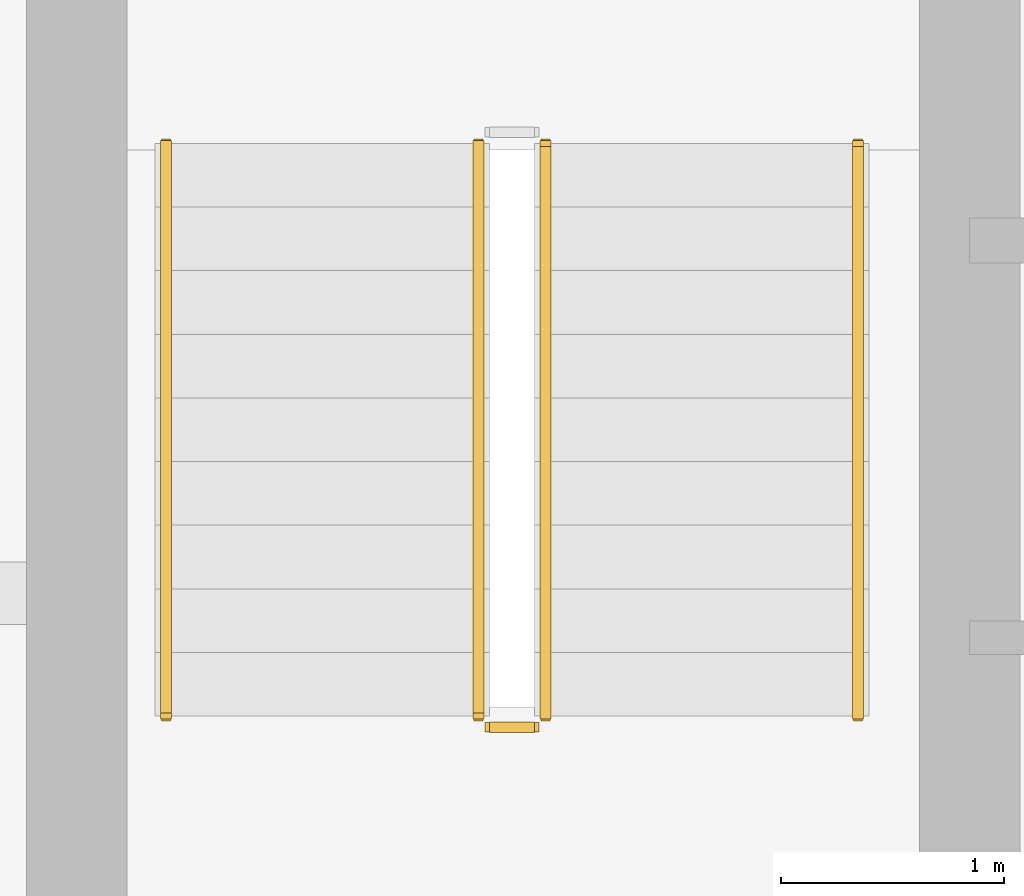
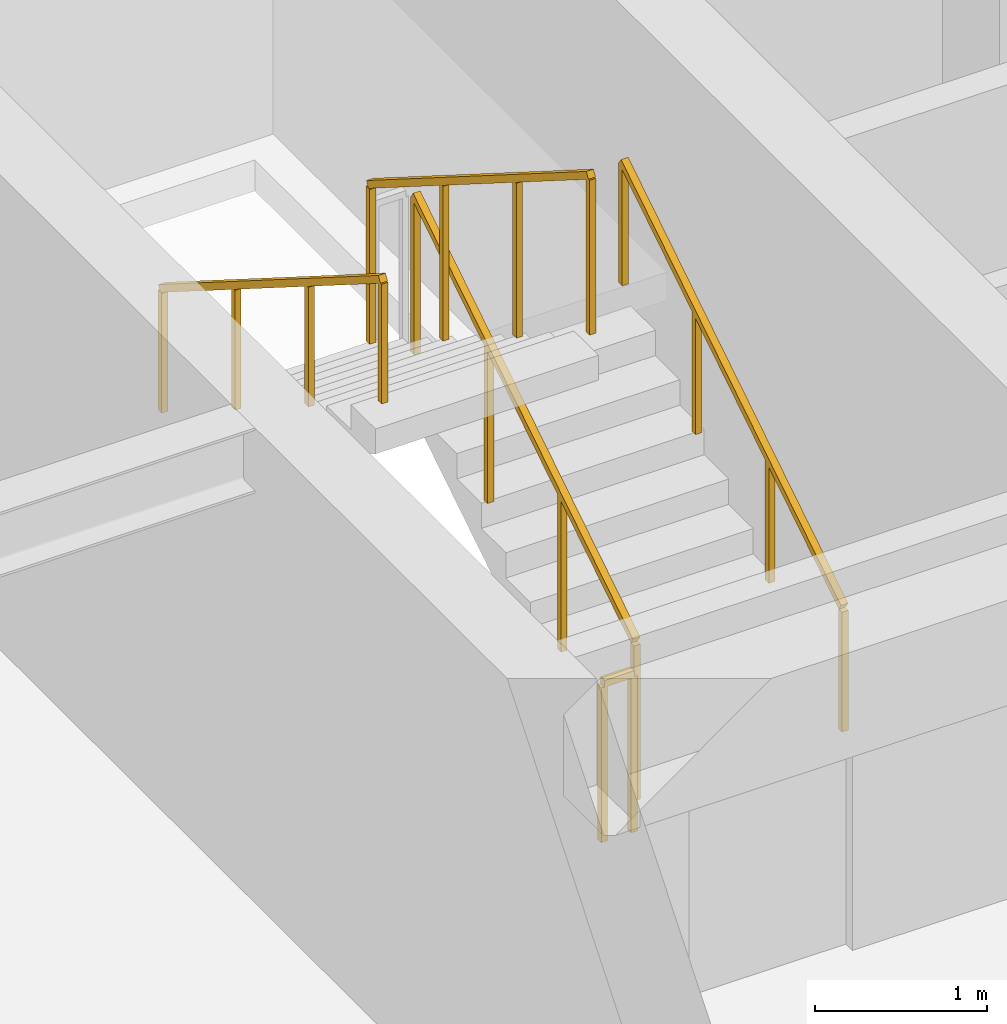
# One storey, part 26 of 28: 5 railings.
"""IFC4 building model written with IfcOpenShell, lengths in metres."""

from ifc_helpers import new_model, si_unit, direction, frame, origin, origin_2d, place, context, subcontext, project, spatial, rectangle, extrude, material, type_object, element, save


model = new_model("IFC4")

# Units and contexts
model_context = context("Model", 3, precision=1e-05, world=origin(), true_north=direction((0.0, 1.0)))
body_context = subcontext(model_context, "Body", "Model", "MODEL_VIEW")
ifc_project = project(units=[si_unit("LENGTHUNIT", "METRE"), si_unit("AREAUNIT", "SQUARE_METRE"), si_unit("VOLUMEUNIT", "CUBIC_METRE"), si_unit("PLANEANGLEUNIT", "RADIAN"), si_unit("MASSUNIT", "GRAM", prefix="KILO")], contexts=[model_context])

# Site, building, storey
site_placement = place(None, origin())
site = spatial("IfcSite", under=ifc_project, at=site_placement, CompositionType="ELEMENT")
building_placement = place(site_placement, origin())
building = spatial("IfcBuilding", under=site, at=building_placement, Name="Sarneth Arch Tower", CompositionType="ELEMENT")
storey_placement = place(building_placement, frame((0.0, 0.0, 179.39990234375)))
storey = spatial("IfcBuildingStorey", under=building, at=storey_placement, Name="L45", CompositionType="ELEMENT", Elevation=179.39990234375)

# Railings
ifc_material_1 = material(Name="Brushed Stainless Steel 304 tubular handrail", Category="steel")
railing_type_1 = type_object("IfcRailingType", Name="RAIL-HANDRAIL-900", PredefinedType="HANDRAIL", material=ifc_material_1)
railing_1_placement = place(storey_placement, frame((40.5, 41.449951171875, 0.18017578125)))
element("IfcRailing", 1, at=railing_1_placement, inside=storey, type_object=railing_type_1, Name="L45 ST-1 stair handrail 1", PredefinedType="HANDRAIL", context=body_context, shape_type="SweptSolid", body=[
    extrude(rectangle(XDim=0.048095703125, YDim=0.048095703125, at=origin_2d()), frame((0.0, 0.0, 0.8759765625), z_axis=(0.0, 0.845502289212, 0.533971796014), x_axis=(-1.0, 0.0, 0.0)), (0.0, 0.0, 1.0), 3.03369140625),
    extrude(rectangle(XDim=0.0419921875, YDim=0.0419921875, at=origin_2d()), origin(), (0.0, 0.0, 1.0), 0.851806640625),
    extrude(rectangle(XDim=0.0419921875, YDim=0.0419921875, at=origin_2d()), frame((0.0, 0.85498046875, 0.5400390625)), (0.0, 0.0, 1.0), 0.851806640625),
    extrude(rectangle(XDim=0.0419921875, YDim=0.0419921875, at=origin_2d()), frame((0.0, 1.7099609375, 1.079833984375)), (0.0, 0.0, 1.0), 0.851806640625),
    extrude(rectangle(XDim=0.0419921875, YDim=0.0419921875, at=origin_2d()), frame((0.0, 2.56494140625, 1.619873046875)), (0.0, 0.0, 1.0), 0.851806640625),
])
railing_2_placement = place(storey_placement, frame((37.39990234375, 44.014892578125, 1.97998046875)))
element("IfcRailing", 2, at=railing_2_placement, inside=storey, type_object=railing_type_1, Name="L45 ST-1 stair handrail 2", PredefinedType="HANDRAIL", context=body_context, shape_type="SweptSolid", body=[
    extrude(rectangle(XDim=0.048095703125, YDim=0.048095703125, at=origin_2d()), frame((0.0, 0.0, 0.8759765625), z_axis=(0.0, -0.845465955043, 0.534029323973), x_axis=(1.0, 0.0, 0.0)), (0.0, 0.0, 1.0), 3.03369140625),
    extrude(rectangle(XDim=0.0419921875, YDim=0.0419921875, at=origin_2d()), origin(), (0.0, 0.0, 1.0), 0.851806640625),
    extrude(rectangle(XDim=0.0419921875, YDim=0.0419921875, at=origin_2d()), frame((0.0, -0.85498046875, 0.5400390625)), (0.0, 0.0, 1.0), 0.851806640625),
    extrude(rectangle(XDim=0.0419921875, YDim=0.0419921875, at=origin_2d()), frame((0.0, -1.7099609375, 1.080078125)), (0.0, 0.0, 1.0), 0.851806640625),
    extrude(rectangle(XDim=0.0419921875, YDim=0.0419921875, at=origin_2d()), frame((0.0, -2.56494140625, 1.6201171875)), (0.0, 0.0, 1.0), 0.851806640625),
])
ifc_material_2 = material(Name="Painted Steel S275 stair well guard", Category="steel")
railing_type_2 = type_object("IfcRailingType", Name="RAIL-STAIR-GUARD", PredefinedType="GUARDRAIL", material=ifc_material_2)
railing_3_placement = place(storey_placement, frame((39.10009765625, 41.449951171875, 0.18017578125)))
element("IfcRailing", 3, at=railing_3_placement, inside=storey, type_object=railing_type_2, Name="L45 ST-1 stair guard 1", PredefinedType="GUARDRAIL", context=body_context, shape_type="SweptSolid", body=[
    extrude(rectangle(XDim=0.048095703125, YDim=0.048095703125, at=origin_2d()), frame((0.0, 0.0, 1.1259765625), z_axis=(0.0, 0.845502289212, 0.533971796014), x_axis=(-1.0, 0.0, 0.0)), (0.0, 0.0, 1.0), 3.03369140625),
    extrude(rectangle(XDim=0.0419921875, YDim=0.0419921875, at=origin_2d()), origin(), (0.0, 0.0, 1.0), 1.101806640625),
    extrude(rectangle(XDim=0.0419921875, YDim=0.0419921875, at=origin_2d()), frame((0.0, 0.85498046875, 0.5400390625)), (0.0, 0.0, 1.0), 1.101806640625),
    extrude(rectangle(XDim=0.0419921875, YDim=0.0419921875, at=origin_2d()), frame((0.0, 1.7099609375, 1.079833984375)), (0.0, 0.0, 1.0), 1.101806640625),
    extrude(rectangle(XDim=0.0419921875, YDim=0.0419921875, at=origin_2d()), frame((0.0, 2.56494140625, 1.619873046875)), (0.0, 0.0, 1.0), 1.101806640625),
])
railing_4_placement = place(storey_placement, frame((38.800048828125, 44.014892578125, 1.97998046875)))
element("IfcRailing", 4, at=railing_4_placement, inside=storey, type_object=railing_type_2, Name="L45 ST-1 stair guard 3", PredefinedType="GUARDRAIL", context=body_context, shape_type="SweptSolid", body=[
    extrude(rectangle(XDim=0.048095703125, YDim=0.048095703125, at=origin_2d()), frame((0.0, 0.0, 1.1259765625), z_axis=(0.0, -0.845465955043, 0.534029323973), x_axis=(1.0, 0.0, 0.0)), (0.0, 0.0, 1.0), 3.03369140625),
    extrude(rectangle(XDim=0.0419921875, YDim=0.0419921875, at=origin_2d()), origin(), (0.0, 0.0, 1.0), 1.101806640625),
    extrude(rectangle(XDim=0.0419921875, YDim=0.0419921875, at=origin_2d()), frame((0.0, -0.85498046875, 0.5400390625)), (0.0, 0.0, 1.0), 1.101806640625),
    extrude(rectangle(XDim=0.0419921875, YDim=0.0419921875, at=origin_2d()), frame((0.0, -1.7099609375, 1.080078125)), (0.0, 0.0, 1.0), 1.101806640625),
    extrude(rectangle(XDim=0.0419921875, YDim=0.0419921875, at=origin_2d()), frame((0.0, -2.56494140625, 1.6201171875)), (0.0, 0.0, 1.0), 1.101806640625),
])
railing_5_placement = place(storey_placement, frame((39.050048828125, 41.39990234375, 0.0)))
element("IfcRailing", 5, at=railing_5_placement, inside=storey, type_object=railing_type_2, Name="L45 ST-1 stair guard 4", PredefinedType="GUARDRAIL", context=body_context, shape_type="SweptSolid", body=[
    extrude(rectangle(XDim=0.048095703125, YDim=0.048095703125, at=origin_2d()), frame((0.0, 0.0, 1.1259765625), z_axis=(-1.0, 0.0, 0.0), x_axis=(0.0, -1.0, 0.0)), (0.0, 0.0, 1.0), 0.199951171875),
    extrude(rectangle(XDim=0.0419921875, YDim=0.0419921875, at=origin_2d()), origin(), (0.0, 0.0, 1.0), 1.101806640625),
    extrude(rectangle(XDim=0.0419921875, YDim=0.0419921875, at=origin_2d()), frame((-0.199951171875, 0.0, 0.0)), (0.0, 0.0, 1.0), 1.101806640625),
])

save(model, "model.ifc")
